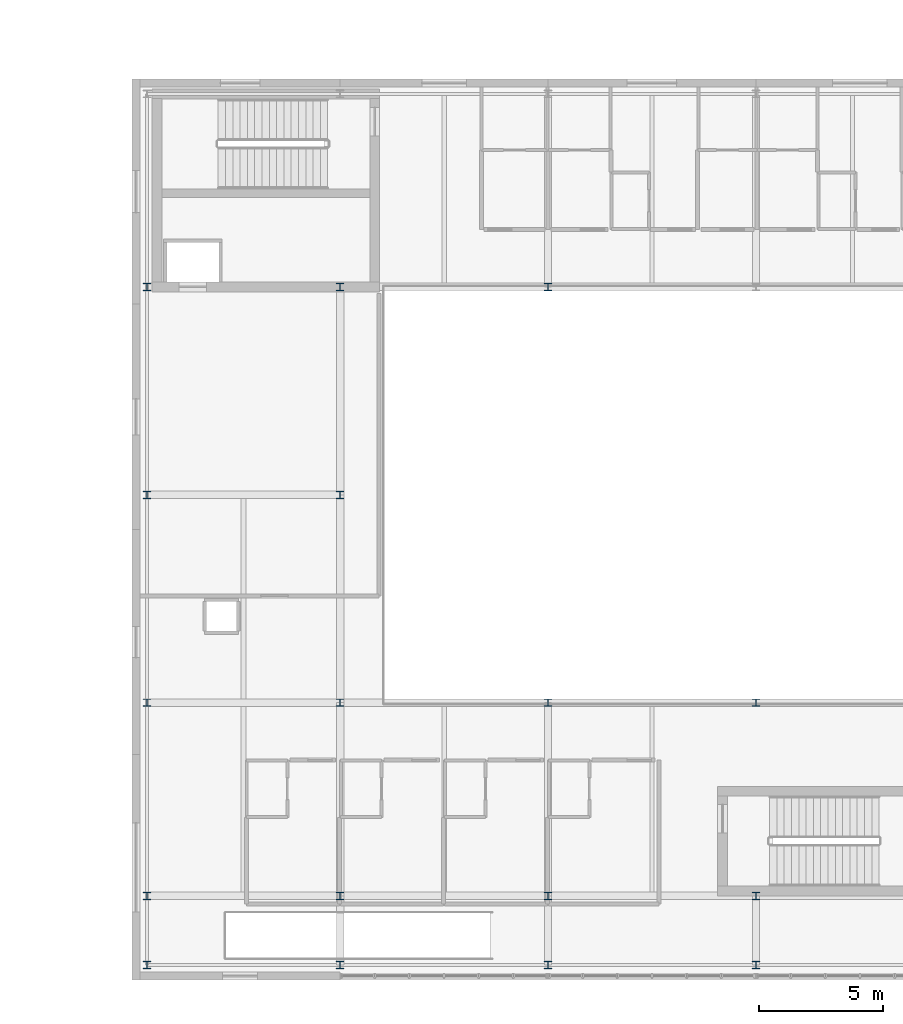
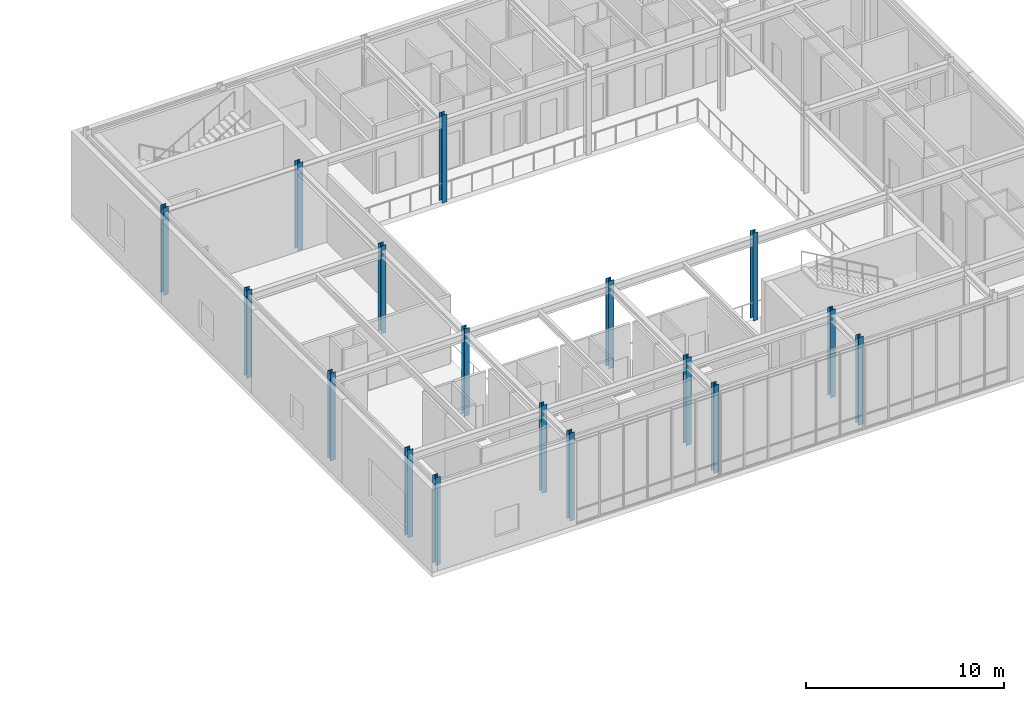
# One storey, part 4 of 139: 17 columns.
"""IFC4 building model written with IfcOpenShell, lengths in metres."""

import ifcopenshell
import ifcopenshell.guid

model = None  # the IFC model being written
_history = None  # IfcOwnerHistory: only IFC2X3 demands one
_inside = {}  # id of a spatial element -> (the spatial element, [elements in it])
_under = {}  # id of a project, library or spatial element -> (it, [spatial elements below it])
_declared = {}  # id of a project -> (the project, [libraries it declares])
_typed = {}  # id of a type object -> (the type object, [elements of that type])
_made_of = {}  # id of a material, layer set ... -> (it, [elements and type objects made of it])


def new_model(schema):
    """Start an empty IFC model of exactly this schema.

    Asked for "IFC4X3", IfcOpenShell would pick the latest addendum, in which some entities
    have other attributes; the version numbers below select the first issue.
    IFC2X3 requires an IfcOwnerHistory on every rooted entity: one is made here for all.
    """
    global model, _history
    if schema == "IFC4X3":
        model = ifcopenshell.file(schema_version=(4, 3, 0, 0))
    else:
        model = ifcopenshell.file(schema=schema)
    _inside.clear()
    _under.clear()
    _declared.clear()
    _typed.clear()
    _made_of.clear()
    _history = None
    if model.schema == "IFC2X3":
        org = make("IfcOrganization", Name="unknown")
        user = make(
            "IfcPersonAndOrganization",
            ThePerson=make("IfcPerson", FamilyName="unknown"),
            TheOrganization=org,
        )
        app = make(
            "IfcApplication",
            ApplicationDeveloper=org,
            Version="unknown",
            ApplicationFullName="unknown",
            ApplicationIdentifier="unknown",
        )
        _history = make(
            "IfcOwnerHistory",
            OwningUser=user,
            OwningApplication=app,
            ChangeAction="ADDED",
            CreationDate=0,
        )
    return model


def make(cls, **values):
    """One entity of the class cls with the attributes given. An attribute that is None is left unset."""
    return model.create_entity(
        cls, **{name: value for name, value in values.items() if value is not None}
    )


def rooted(cls, **values):
    """An entity with a GlobalId (a new one), such as an element, a storey or a relation."""
    return make(cls, GlobalId=ifcopenshell.guid.new(), OwnerHistory=_history, **values)


def si_unit(unit_type, name, prefix=None):
    """IfcSIUnit, for example si_unit("LENGTHUNIT", "METRE", prefix="MILLI")."""
    return make("IfcSIUnit", UnitType=unit_type, Prefix=prefix, Name=name)


def assignment(units):
    """IfcUnitAssignment: the units of a project."""
    return None if units is None else make("IfcUnitAssignment", Units=units)


def point(xyz):
    """IfcCartesianPoint."""
    return None if xyz is None else make("IfcCartesianPoint", Coordinates=xyz)


def direction(xyz):
    """IfcDirection."""
    return None if xyz is None else make("IfcDirection", DirectionRatios=xyz)


def frame(location, z_axis=None, x_axis=None):
    """IfcAxis2Placement3D, a coordinate frame: its origin and axes. An axis left out is left unset."""
    return make(
        "IfcAxis2Placement3D",
        Location=point(location),
        Axis=direction(z_axis),
        RefDirection=direction(x_axis),
    )


def frame_2d(location, x_axis=None):
    """IfcAxis2Placement2D, a coordinate frame in the plane: its origin and x axis."""
    return make(
        "IfcAxis2Placement2D", Location=point(location), RefDirection=direction(x_axis)
    )


def origin():
    """The frame at (0, 0, 0) with its axes left unset."""
    return frame((0.0, 0.0, 0.0))


def origin_2d():
    """The frame at (0, 0) in the plane with its x axis left unset."""
    return frame_2d((0.0, 0.0))


def place(relative_to, where):
    """IfcLocalPlacement: puts the frame where relative to a parent placement (None: the world)."""
    return make(
        "IfcLocalPlacement", PlacementRelTo=relative_to, RelativePlacement=where
    )


def context(
    kind, dimensions, precision=None, world=None, true_north=None, identifier=None
):
    """IfcGeometricRepresentationContext, for example the 3D "Model" context."""
    return make(
        "IfcGeometricRepresentationContext",
        ContextIdentifier=identifier,
        ContextType=kind,
        CoordinateSpaceDimension=dimensions,
        Precision=precision,
        WorldCoordinateSystem=world,
        TrueNorth=true_north,
    )


def subcontext(parent, identifier, kind, view, scale=None):
    """IfcGeometricRepresentationSubContext, for example "Body" below "Model"."""
    return make(
        "IfcGeometricRepresentationSubContext",
        ContextIdentifier=identifier,
        ContextType=kind,
        ParentContext=parent,
        TargetScale=scale,
        TargetView=view,
    )


def project(units=None, contexts=None):
    """IfcProject with its units and contexts."""
    return rooted(
        "IfcProject",
        Name="project",
        RepresentationContexts=contexts,
        UnitsInContext=assignment(units),
    )


def spatial(cls, under=None, at=None, **own):
    """A site, building, storey or space (cls), placed at a placement, below another one or the project."""
    s = rooted(cls, ObjectPlacement=at, **own)
    if under is not None:
        _under.setdefault(under.id(), (under, []))[1].append(s)
    return s


def profile(cls, at=None, kind="AREA", **sizes):
    """A parametric profile (cls). Its sizes go by their IFC names, for example OverallWidth=200.0."""
    return make(cls, ProfileType=kind, Position=at, **sizes)


def i_section(**sizes):
    """IfcIShapeProfileDef."""
    return profile("IfcIShapeProfileDef", **sizes)


def extrude(swept, where, along, depth):
    """IfcExtrudedAreaSolid: the profile swept, set in the frame where, extruded along a direction by depth."""
    return make(
        "IfcExtrudedAreaSolid",
        SweptArea=swept,
        Position=where,
        ExtrudedDirection=direction(along),
        Depth=depth,
    )


def shape(context_of_items, identifier, shape_type, items):
    """IfcShapeRepresentation: the items that make up one representation, for example the "Body"."""
    return make(
        "IfcShapeRepresentation",
        ContextOfItems=context_of_items,
        RepresentationIdentifier=identifier,
        RepresentationType=shape_type,
        Items=items,
    )


def material(Name=None, Category=None):
    """IfcMaterial."""
    return make("IfcMaterial", Name=Name, Category=Category)


def material_profile(
    of_material, cross_section, Name=None, Category=None, Priority=None
):
    """IfcMaterialProfile: a cross section and its material."""
    return make(
        "IfcMaterialProfile",
        Name=Name,
        Material=of_material,
        Profile=cross_section,
        Priority=Priority,
        Category=Category,
    )


def profile_set(profiles, Name=None, composite=None):
    """IfcMaterialProfileSet."""
    return make(
        "IfcMaterialProfileSet",
        Name=Name,
        MaterialProfiles=profiles,
        CompositeProfile=composite,
    )


def made_of(thing, what):
    """Note that an element or type object is made of a material, layer set ...; save() writes the relation."""
    if what is not None:
        _made_of.setdefault(what.id(), (what, []))[1].append(thing)
    return thing


def type_object(cls, material=None, **own):
    """A type object (cls), such as IfcWallType, which elements share."""
    return made_of(rooted(cls, **own), material)


def element(
    cls,
    number,
    at=None,
    inside=None,
    cuts=None,
    type_object=None,
    material=None,
    context=None,
    identifier="Body",
    shape_type=None,
    held_by="IfcProductDefinitionShape",
    body=None,
    shapes=None,
    **own,
):
    """One element of the class cls, such as IfcWall. Its Tag is "e" and its number.

    at: its placement. inside: the storey or other place that contains it. cuts: it is an
    opening in that element (IfcRelVoidsElement). A single representation is given by context,
    identifier, shape_type and body (its items); several are given by shapes. held_by: the class
    of the entity that holds the representations. save() writes the other relations.
    """
    e = rooted(cls, Tag="e%d" % number, ObjectPlacement=at, **own)
    if body is not None:
        shapes = [shape(context, identifier, shape_type, body)]
    if shapes is not None:
        e.Representation = make(held_by, Representations=shapes)
    if inside is not None:
        _inside.setdefault(inside.id(), (inside, []))[1].append(e)
    if cuts is not None:
        rooted(
            "IfcRelVoidsElement", RelatingBuildingElement=cuts, RelatedOpeningElement=e
        )
    if type_object is not None:
        _typed.setdefault(type_object.id(), (type_object, []))[1].append(e)
    return made_of(e, material)


def aggregate(whole, parts):
    """IfcRelAggregates: a whole, such as a stair, and the parts it consists of."""
    return rooted("IfcRelAggregates", RelatingObject=whole, RelatedObjects=parts)


def save(model, path):
    """Write the relations noted so far, then the file.

    IfcRelAggregates (storeys below a building ...), IfcRelContainedInSpatialStructure (elements
    in a storey), IfcRelDefinesByType, IfcRelAssociatesMaterial and IfcRelDeclares: one each for
    every whole, place, type object, material and project.
    """
    for whole, parts in _under.values():
        aggregate(whole, parts)
    for where, things in _inside.values():
        rooted(
            "IfcRelContainedInSpatialStructure",
            RelatedElements=things,
            RelatingStructure=where,
        )
    for kind, things in _typed.values():
        rooted("IfcRelDefinesByType", RelatedObjects=things, RelatingType=kind)
    for what, things in _made_of.values():
        rooted("IfcRelAssociatesMaterial", RelatedObjects=things, RelatingMaterial=what)
    for by, libraries in _declared.values():
        rooted("IfcRelDeclares", RelatingContext=by, RelatedDefinitions=libraries)
    model.write(path)


model = new_model("IFC4")

# Units and contexts
model_context = context("Model", 3, precision=1e-05, world=origin(), true_north=direction((0.0, 1.0)))
body_context = subcontext(model_context, "Body", "Model", "MODEL_VIEW")
ifc_project = project(units=[si_unit("LENGTHUNIT", "METRE"), si_unit("AREAUNIT", "SQUARE_METRE"), si_unit("VOLUMEUNIT", "CUBIC_METRE"), si_unit("PLANEANGLEUNIT", "RADIAN"), si_unit("MASSUNIT", "GRAM", prefix="KILO")], contexts=[model_context])

# Site, building, storey
site_placement = place(None, origin())
site = spatial("IfcSite", under=ifc_project, at=site_placement, CompositionType="ELEMENT")
building_placement = place(site_placement, origin())
building = spatial("IfcBuilding", under=site, at=building_placement, Name="Zayran Congress Hotel", CompositionType="ELEMENT")
storey_placement = place(building_placement, frame((0.0, 0.0, 5.39990234375)))
storey = spatial("IfcBuildingStorey", under=building, at=storey_placement, Name="L01", CompositionType="ELEMENT", Elevation=5.39990234375)

# Columns
ifc_material = material(Name="Steel S355", Category="steel")
ifc_material_profile = material_profile(ifc_material, i_section(OverallWidth=0.300048828125, OverallDepth=0.300048828125, WebThickness=0.010986328125, FlangeThickness=0.01904296875, at=origin_2d()), Name="HEB 300")
ifc_profile_set = profile_set([ifc_material_profile], Name="Steel S355")
column_type = type_object("IfcColumnType", Name="TP-CL-08", PredefinedType="COLUMN", material=ifc_profile_set)
for number, where, z_axis, x_axis, name in (
    (1, (151.800048828125, 6.60009765625, 0.0), (0.0, 0.0, 1.0), (1.0, 0.0, 0.0), "COL-V3-L01-0646"),
    (2, (151.800048828125, 9.39990234375, 0.0), (0.0, 0.0, 1.0), (1.0, 0.0, 0.0), "COL-V3-L01-0647"),
    (3, (151.800048828125, 17.199951171875, 0.0), (0.0, 0.0, 1.0), (1.0, 0.0, 0.0), "COL-V3-L01-0648"),
    (4, (151.800048828125, 25.60009765625, 0.0), (0.0, 0.0, 1.0), (1.0, 0.0, 0.0), "COL-V3-L01-0649"),
    (5, (151.800048828125, 34.0, 0.0), (0.0, 0.0, 1.0), (1.0, 0.0, 0.0), "COL-V3-L01-0650"),
    (6, (159.60009765625, 6.60009765625, 0.0), (0.0, 0.0, 1.0), (1.0, 0.0, 0.0), "COL-V3-L01-0652"),
    (7, (159.60009765625, 9.39990234375, 0.0), (0.0, 0.0, 1.0), (1.0, 0.0, 0.0), "COL-V3-L01-0653"),
    (8, (159.60009765625, 17.199951171875, 0.0), (0.0, 0.0, 1.0), (1.0, 0.0, 0.0), "COL-V3-L01-0654"),
    (9, (159.60009765625, 25.60009765625, 0.0), (0.0, 0.0, 1.0), (1.0, 0.0, 0.0), "COL-V3-L01-0655"),
    (10, (159.60009765625, 34.0, 0.0), (0.0, 0.0, 1.0), (1.0, 0.0, 0.0), "COL-V3-L01-0656"),
    (11, (168.0, 6.60009765625, 0.0), (0.0, 0.0, 1.0), (1.0, 0.0, 0.0), "COL-V3-L01-0658"),
    (12, (168.0, 9.39990234375, 0.0), (0.0, 0.0, 1.0), (1.0, 0.0, 0.0), "COL-V3-L01-0659"),
    (13, (168.0, 17.199951171875, 0.0), (0.0, 0.0, 1.0), (1.0, 0.0, 0.0), "COL-V3-L01-0660"),
    (14, (168.0, 34.0, 0.0), (0.0, 0.0, 1.0), (1.0, 0.0, 0.0), "COL-V3-L01-0661"),
    (15, (176.39990234375, 6.60009765625, 0.0), (0.0, 0.0, 1.0), (1.0, 0.0, 0.0), "COL-V3-L01-0663"),
    (16, (176.39990234375, 9.39990234375, 0.0), (0.0, 0.0, 1.0), (1.0, 0.0, 0.0), "COL-V3-L01-0664"),
    (17, (176.39990234375, 17.199951171875, 0.0), (0.0, 0.0, 1.0), (1.0, 0.0, 0.0), "COL-V3-L01-0665"),
):
    element("IfcColumn", number, at=place(storey_placement, frame(where, z_axis=z_axis, x_axis=x_axis)), inside=storey, type_object=column_type, Name=name, PredefinedType="COLUMN", context=body_context, shape_type="SweptSolid", body=[
        extrude(i_section(OverallWidth=0.300048828125, OverallDepth=0.300048828125, WebThickness=0.010986328125, FlangeThickness=0.01904296875, at=origin_2d()), origin(), (0.0, 0.0, 1.0), 5.400146484375),
    ])

save(model, "model.ifc")
